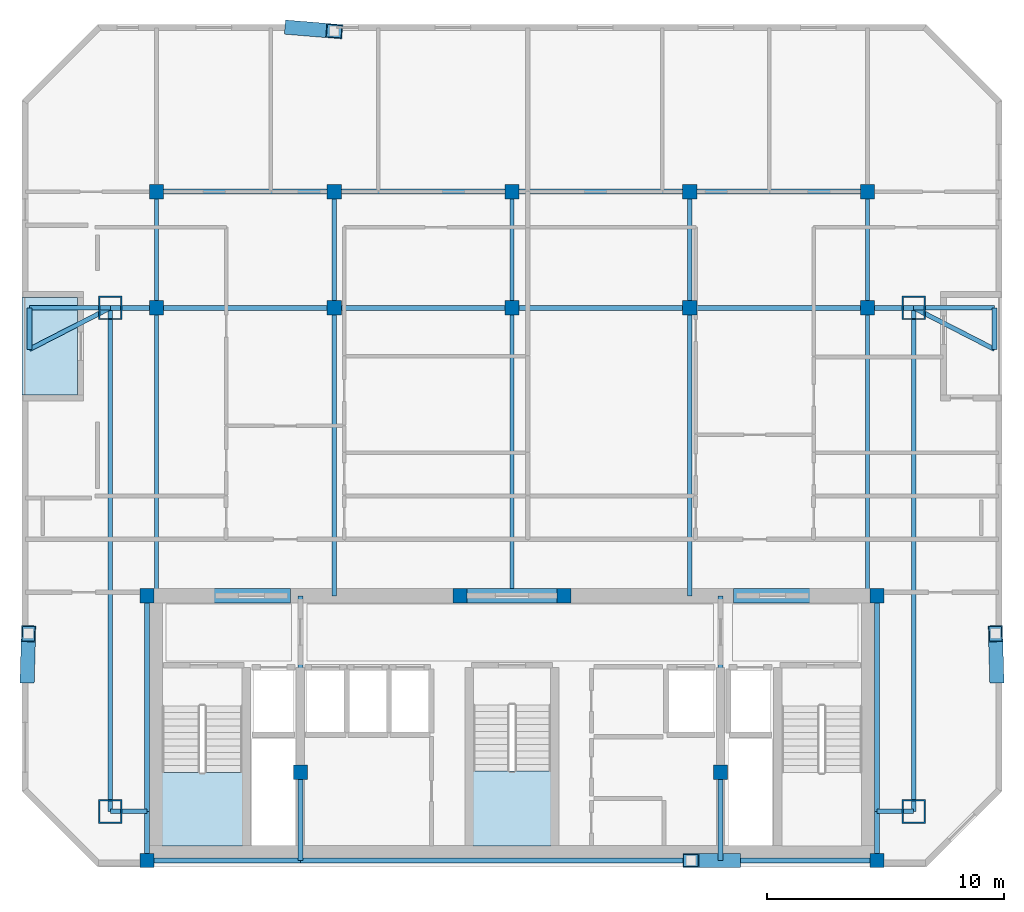
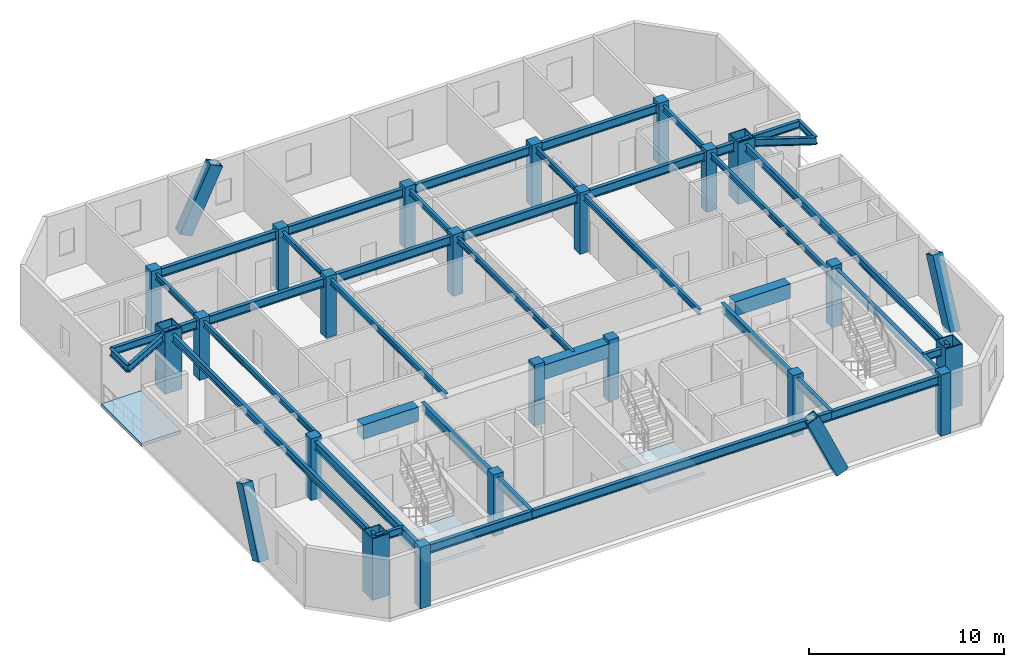
# One storey, part 1 of 7: 44 beams, 22 columns, 4 members, 3 slabs, 2 elements without a shape of their own.
"""IFC4 building model written with IfcOpenShell, lengths in metres."""

from ifc_helpers import new_model, si_unit, direction, frame, origin, origin_2d, place, context, subcontext, project, spatial, polyline, rectangle, hollow_rectangle, i_section, outline, extrude, material, layer, layer_set, material_profile, profile_set, type_object, element, aggregate, save


model = new_model("IFC4")

# Units and contexts
model_context = context("Model", 3, precision=1e-05, world=origin(), true_north=direction((0.0, 1.0)))
body_context = subcontext(model_context, "Body", "Model", "MODEL_VIEW")
ifc_project = project(units=[si_unit("LENGTHUNIT", "METRE"), si_unit("AREAUNIT", "SQUARE_METRE"), si_unit("VOLUMEUNIT", "CUBIC_METRE"), si_unit("PLANEANGLEUNIT", "RADIAN"), si_unit("MASSUNIT", "GRAM", prefix="KILO")], contexts=[model_context])

# Site, building, storey
site_placement = place(None, origin())
site = spatial("IfcSite", under=ifc_project, at=site_placement, CompositionType="ELEMENT")
building_placement = place(site_placement, origin())
building = spatial("IfcBuilding", under=site, at=building_placement, Name="Ventersveld Concourse Tower", CompositionType="ELEMENT")
storey_placement = place(building_placement, frame((0.0, 0.0, 264.449951171875)))
storey = spatial("IfcBuildingStorey", under=building, at=storey_placement, Name="L65", CompositionType="ELEMENT", Elevation=264.449951171875)

# Columns
ifc_material_1 = material(Name="Concrete C50/60", Category="concrete")
ifc_material_profile_1 = material_profile(ifc_material_1, rectangle(XDim=0.60009765625, YDim=0.60009765625, at=origin_2d()), Name="RC 600x600")
ifc_profile_set_1 = profile_set([ifc_material_profile_1], Name="Concrete C50/60")
column_type_1 = type_object("IfcColumnType", Name="COL-RC600", PredefinedType="COLUMN", material=ifc_profile_set_1)
for number, where, z_axis, x_axis, name in (
    (1, (13.35009765625, 0.280029296875, 0.0), (0.0, 0.0, 1.0), (1.0, 0.0, 0.0), "L65 Core Spine Column CC-SW"),
    (2, (44.14990234375, 0.280029296875, 0.0), (0.0, 0.0, 1.0), (1.0, 0.0, 0.0), "L65 Core Spine Column CC-SE"),
    (3, (13.35009765625, 11.449951171875, 0.0), (0.0, 0.0, 1.0), (1.0, 0.0, 0.0), "L65 Core Spine Column CC-NW"),
    (4, (44.14990234375, 11.449951171875, 0.0), (0.0, 0.0, 1.0), (1.0, 0.0, 0.0), "L65 Core Spine Column CC-NE"),
    (5, (19.820068359375, 4.0, 0.0), (0.0, 0.0, 1.0), (1.0, 0.0, 0.0), "L65 Core Spine Column CM-1"),
    (6, (37.550048828125, 4.0, 0.0), (0.0, 0.0, 1.0), (1.0, 0.0, 0.0), "L65 Core Spine Column CM-2"),
    (7, (26.550048828125, 11.449951171875, 0.0), (0.0, 0.0, 1.0), (1.0, 0.0, 0.0), "L65 Core Spine Column CM-3"),
    (8, (30.949951171875, 11.449951171875, 0.0), (0.0, 0.0, 1.0), (1.0, 0.0, 0.0), "L65 Core Spine Column CM-4"),
    (9, (13.75, 23.60009765625, 0.0), (0.0, 0.0, 1.0), (1.0, 0.0, 0.0), "L65 Interior Gravity Column X=13.75 Y=23.60"),
    (10, (21.25, 23.60009765625, 0.0), (0.0, 0.0, 1.0), (1.0, 0.0, 0.0), "L65 Interior Gravity Column X=21.25 Y=23.60"),
    (11, (28.75, 23.60009765625, 0.0), (0.0, 0.0, 1.0), (1.0, 0.0, 0.0), "L65 Interior Gravity Column X=28.75 Y=23.60"),
    (12, (36.25, 23.60009765625, 0.0), (0.0, 0.0, 1.0), (1.0, 0.0, 0.0), "L65 Interior Gravity Column X=36.25 Y=23.60"),
    (13, (43.75, 23.60009765625, 0.0), (0.0, 0.0, 1.0), (1.0, 0.0, 0.0), "L65 Interior Gravity Column X=43.75 Y=23.60"),
    (14, (13.75, 28.5, 0.0), (0.0, 0.0, 1.0), (1.0, 0.0, 0.0), "L65 Upper-North Gravity Column X=13.75 Y=28.50"),
    (15, (21.25, 28.5, 0.0), (0.0, 0.0, 1.0), (1.0, 0.0, 0.0), "L65 Upper-North Gravity Column X=21.25 Y=28.50"),
    (16, (28.75, 28.5, 0.0), (0.0, 0.0, 1.0), (1.0, 0.0, 0.0), "L65 Upper-North Gravity Column X=28.75 Y=28.50"),
    (17, (36.25, 28.5, 0.0), (0.0, 0.0, 1.0), (1.0, 0.0, 0.0), "L65 Upper-North Gravity Column X=36.25 Y=28.50"),
    (18, (43.75, 28.5, 0.0), (0.0, 0.0, 1.0), (1.0, 0.0, 0.0), "L65 Upper-North Gravity Column X=43.75 Y=28.50"),
):
    element("IfcColumn", number, at=place(storey_placement, frame(where, z_axis=z_axis, x_axis=x_axis)), inside=storey, type_object=column_type_1, Name=name, PredefinedType="COLUMN", context=body_context, shape_type="SweptSolid", body=[
        extrude(rectangle(XDim=0.60009765625, YDim=0.60009765625, at=origin_2d()), origin(), (0.0, 0.0, 1.0), 3.85009765625),
    ])
ifc_material_2 = material(Name="Structural steel S460ML", Category="steel")
ifc_material_profile_2 = material_profile(ifc_material_2, hollow_rectangle(XDim=1.0, YDim=1.0, WallThickness=0.06005859375, at=origin_2d()), Name="BOX 1000x1000x60")
ifc_profile_set_2 = profile_set([ifc_material_profile_2], Name="Structural steel S460ML")
column_type_2 = type_object("IfcColumnType", Name="MC-1000", PredefinedType="USERDEFINED", material=ifc_profile_set_2)
for number, where, z_axis, x_axis, name in (
    (19, (11.800048828125, 2.35009765625, 0.0), (0.0, 0.0, 1.0), (1.0, 0.0, 0.0), "L65 Corner Mega-Column MC-SW"),
    (20, (45.699951171875, 2.35009765625, 0.0), (0.0, 0.0, 1.0), (1.0, 0.0, 0.0), "L65 Corner Mega-Column MC-SE"),
    (21, (45.699951171875, 23.60009765625, 0.0), (0.0, 0.0, 1.0), (1.0, 0.0, 0.0), "L65 Corner Mega-Column MC-NE"),
    (22, (11.800048828125, 23.60009765625, 0.0), (0.0, 0.0, 1.0), (1.0, 0.0, 0.0), "L65 Corner Mega-Column MC-NW"),
):
    element("IfcColumn", number, at=place(storey_placement, frame(where, z_axis=z_axis, x_axis=x_axis)), inside=storey, type_object=column_type_2, Name=name, ObjectType="MEGA_COLUMN", PredefinedType="USERDEFINED", context=body_context, shape_type="SweptSolid", body=[
        extrude(hollow_rectangle(XDim=1.0, YDim=1.0, WallThickness=0.06005859375, at=origin_2d()), origin(), (0.0, 0.0, 1.0), 3.85009765625),
    ])

# Beams
ifc_material_3 = material(Name="Structural steel S355J2", Category="steel")
ifc_material_profile_3 = material_profile(ifc_material_3, i_section(OverallWidth=0.17138671875, OverallDepth=0.35498046875, WebThickness=0.00732421875, FlangeThickness=0.011474609375, FilletRadius=0.01025390625, at=origin_2d()), Name="UB 356x171x51")
ifc_profile_set_3 = profile_set([ifc_material_profile_3], Name="Structural steel S355J2")
beam_type_1 = type_object("IfcBeamType", Name="BM-UB356", PredefinedType="BEAM", material=ifc_profile_set_3)
beam_1_placement = place(storey_placement, frame((13.75, 11.449951171875, 3.47265625), z_axis=(0.0, 1.0, 0.0), x_axis=(-1.0, 0.0, 0.0)))
element("IfcBeam", 23, at=beam_1_placement, inside=storey, type_object=beam_type_1, Name="L65 N-S Composite Floor Beam South X=13.75", PredefinedType="BEAM", context=body_context, shape_type="SweptSolid", body=[
    extrude(i_section(OverallWidth=0.17138671875, OverallDepth=0.35498046875, WebThickness=0.00732421875, FlangeThickness=0.011474609375, FilletRadius=0.01025390625, at=origin_2d()), origin(), (0.0, 0.0, 1.0), 12.150146484375),
])
beam_2_placement = place(storey_placement, frame((13.75, 23.60009765625, 3.47265625), z_axis=(0.0, 1.0, 0.0), x_axis=(-1.0, 0.0, 0.0)))
element("IfcBeam", 24, at=beam_2_placement, inside=storey, type_object=beam_type_1, Name="L65 N-S Upper-Zone Floor Beam X=13.75", PredefinedType="BEAM", context=body_context, shape_type="SweptSolid", body=[
    extrude(i_section(OverallWidth=0.17138671875, OverallDepth=0.35498046875, WebThickness=0.00732421875, FlangeThickness=0.011474609375, FilletRadius=0.01025390625, at=origin_2d()), origin(), (0.0, 0.0, 1.0), 4.89990234375),
])
beam_3_placement = place(storey_placement, frame((21.25, 11.449951171875, 3.47265625), z_axis=(0.0, 1.0, 0.0), x_axis=(-1.0, 0.0, 0.0)))
element("IfcBeam", 25, at=beam_3_placement, inside=storey, type_object=beam_type_1, Name="L65 N-S Composite Floor Beam South X=21.25", PredefinedType="BEAM", context=body_context, shape_type="SweptSolid", body=[
    extrude(i_section(OverallWidth=0.17138671875, OverallDepth=0.35498046875, WebThickness=0.00732421875, FlangeThickness=0.011474609375, FilletRadius=0.01025390625, at=origin_2d()), origin(), (0.0, 0.0, 1.0), 12.150146484375),
])
beam_4_placement = place(storey_placement, frame((21.25, 23.60009765625, 3.47265625), z_axis=(0.0, 1.0, 0.0), x_axis=(-1.0, 0.0, 0.0)))
element("IfcBeam", 26, at=beam_4_placement, inside=storey, type_object=beam_type_1, Name="L65 N-S Upper-Zone Floor Beam X=21.25", PredefinedType="BEAM", context=body_context, shape_type="SweptSolid", body=[
    extrude(i_section(OverallWidth=0.17138671875, OverallDepth=0.35498046875, WebThickness=0.00732421875, FlangeThickness=0.011474609375, FilletRadius=0.01025390625, at=origin_2d()), origin(), (0.0, 0.0, 1.0), 4.89990234375),
])
beam_5_placement = place(storey_placement, frame((28.75, 11.449951171875, 3.47265625), z_axis=(0.0, 1.0, 0.0), x_axis=(-1.0, 0.0, 0.0)))
element("IfcBeam", 27, at=beam_5_placement, inside=storey, type_object=beam_type_1, Name="L65 N-S Composite Floor Beam South X=28.75", PredefinedType="BEAM", context=body_context, shape_type="SweptSolid", body=[
    extrude(i_section(OverallWidth=0.17138671875, OverallDepth=0.35498046875, WebThickness=0.00732421875, FlangeThickness=0.011474609375, FilletRadius=0.01025390625, at=origin_2d()), origin(), (0.0, 0.0, 1.0), 12.150146484375),
])
beam_6_placement = place(storey_placement, frame((28.75, 23.60009765625, 3.47265625), z_axis=(0.0, 1.0, 0.0), x_axis=(-1.0, 0.0, 0.0)))
element("IfcBeam", 28, at=beam_6_placement, inside=storey, type_object=beam_type_1, Name="L65 N-S Upper-Zone Floor Beam X=28.75", PredefinedType="BEAM", context=body_context, shape_type="SweptSolid", body=[
    extrude(i_section(OverallWidth=0.17138671875, OverallDepth=0.35498046875, WebThickness=0.00732421875, FlangeThickness=0.011474609375, FilletRadius=0.01025390625, at=origin_2d()), origin(), (0.0, 0.0, 1.0), 4.89990234375),
])
beam_7_placement = place(storey_placement, frame((36.25, 11.449951171875, 3.47265625), z_axis=(0.0, 1.0, 0.0), x_axis=(-1.0, 0.0, 0.0)))
element("IfcBeam", 29, at=beam_7_placement, inside=storey, type_object=beam_type_1, Name="L65 N-S Composite Floor Beam South X=36.25", PredefinedType="BEAM", context=body_context, shape_type="SweptSolid", body=[
    extrude(i_section(OverallWidth=0.17138671875, OverallDepth=0.35498046875, WebThickness=0.00732421875, FlangeThickness=0.011474609375, FilletRadius=0.01025390625, at=origin_2d()), origin(), (0.0, 0.0, 1.0), 12.150146484375),
])
beam_8_placement = place(storey_placement, frame((36.25, 23.60009765625, 3.47265625), z_axis=(0.0, 1.0, 0.0), x_axis=(-1.0, 0.0, 0.0)))
element("IfcBeam", 30, at=beam_8_placement, inside=storey, type_object=beam_type_1, Name="L65 N-S Upper-Zone Floor Beam X=36.25", PredefinedType="BEAM", context=body_context, shape_type="SweptSolid", body=[
    extrude(i_section(OverallWidth=0.17138671875, OverallDepth=0.35498046875, WebThickness=0.00732421875, FlangeThickness=0.011474609375, FilletRadius=0.01025390625, at=origin_2d()), origin(), (0.0, 0.0, 1.0), 4.89990234375),
])
beam_9_placement = place(storey_placement, frame((43.75, 11.449951171875, 3.47265625), z_axis=(0.0, 1.0, 0.0), x_axis=(-1.0, 0.0, 0.0)))
element("IfcBeam", 31, at=beam_9_placement, inside=storey, type_object=beam_type_1, Name="L65 N-S Composite Floor Beam South X=43.75", PredefinedType="BEAM", context=body_context, shape_type="SweptSolid", body=[
    extrude(i_section(OverallWidth=0.17138671875, OverallDepth=0.35498046875, WebThickness=0.00732421875, FlangeThickness=0.011474609375, FilletRadius=0.01025390625, at=origin_2d()), origin(), (0.0, 0.0, 1.0), 12.150146484375),
])
beam_10_placement = place(storey_placement, frame((43.75, 23.60009765625, 3.47265625), z_axis=(0.0, 1.0, 0.0), x_axis=(-1.0, 0.0, 0.0)))
element("IfcBeam", 32, at=beam_10_placement, inside=storey, type_object=beam_type_1, Name="L65 N-S Upper-Zone Floor Beam X=43.75", PredefinedType="BEAM", context=body_context, shape_type="SweptSolid", body=[
    extrude(i_section(OverallWidth=0.17138671875, OverallDepth=0.35498046875, WebThickness=0.00732421875, FlangeThickness=0.011474609375, FilletRadius=0.01025390625, at=origin_2d()), origin(), (0.0, 0.0, 1.0), 4.89990234375),
])
ifc_material_profile_4 = material_profile(ifc_material_1, rectangle(XDim=0.60009765625, YDim=0.89990234375, at=origin_2d()), Name="RC 600x900")
ifc_profile_set_4 = profile_set([ifc_material_profile_4], Name="Concrete C50/60")
beam_type_2 = type_object("IfcBeamType", Name="CB-RC600x900U", PredefinedType="LINTEL", material=ifc_profile_set_4)
beam_11_placement = place(storey_placement, frame((16.10009765625, 11.449951171875, 3.199951171875), z_axis=(1.0, 0.0, 0.0), x_axis=(0.0, 1.0, 0.0)))
element("IfcBeam", 33, at=beam_11_placement, inside=storey, type_object=beam_type_2, Name="L65 Core Coupling Lintel Beam 1", PredefinedType="LINTEL", context=body_context, shape_type="SweptSolid", body=[
    extrude(rectangle(XDim=0.60009765625, YDim=0.89990234375, at=origin_2d()), origin(), (0.0, 0.0, 1.0), 3.2998046875),
])
beam_12_placement = place(storey_placement, frame((26.5, 11.449951171875, 3.199951171875), z_axis=(1.0, 0.0, 0.0), x_axis=(0.0, 1.0, 0.0)))
element("IfcBeam", 34, at=beam_12_placement, inside=storey, type_object=beam_type_2, Name="L65 Core Coupling Lintel Beam 2", PredefinedType="LINTEL", context=body_context, shape_type="SweptSolid", body=[
    extrude(rectangle(XDim=0.60009765625, YDim=0.89990234375, at=origin_2d()), origin(), (0.0, 0.0, 1.0), 4.5),
])
beam_13_placement = place(storey_placement, frame((38.10009765625, 11.449951171875, 3.199951171875), z_axis=(1.0, 0.0, 0.0), x_axis=(0.0, 1.0, 0.0)))
element("IfcBeam", 35, at=beam_13_placement, inside=storey, type_object=beam_type_2, Name="L65 Core Coupling Lintel Beam 3", PredefinedType="LINTEL", context=body_context, shape_type="SweptSolid", body=[
    extrude(rectangle(XDim=0.60009765625, YDim=0.89990234375, at=origin_2d()), origin(), (0.0, 0.0, 1.0), 3.2998046875),
])
ifc_material_profile_5 = material_profile(ifc_material_3, i_section(OverallWidth=0.2119140625, OverallDepth=0.54443359375, WebThickness=0.0126953125, FlangeThickness=0.021240234375, FilletRadius=0.0126953125, at=origin_2d()), Name="UB 533x210x122")
ifc_profile_set_5 = profile_set([ifc_material_profile_5], Name="Structural steel S355J2")
beam_type_3 = type_object("IfcBeamType", Name="GRD-UB533H", PredefinedType="T_BEAM", material=ifc_profile_set_5)
beam_14_placement = place(storey_placement, frame((13.35009765625, 0.280029296875, 3.3779296875), z_axis=(0.0, 1.0, 0.0), x_axis=(-1.0, 0.0, 0.0)))
element("IfcBeam", 36, at=beam_14_placement, inside=storey, type_object=beam_type_3, Name="L65 Core West Tie Beam S", PredefinedType="T_BEAM", context=body_context, shape_type="SweptSolid", body=[
    extrude(i_section(OverallWidth=0.2119140625, OverallDepth=0.54443359375, WebThickness=0.0126953125, FlangeThickness=0.021240234375, FilletRadius=0.0126953125, at=origin_2d()), origin(), (0.0, 0.0, 1.0), 2.070068359375),
])
beam_15_placement = place(storey_placement, frame((13.35009765625, 2.35009765625, 3.3779296875), z_axis=(0.0, 1.0, 0.0), x_axis=(-1.0, 0.0, 0.0)))
element("IfcBeam", 37, at=beam_15_placement, inside=storey, type_object=beam_type_3, Name="L65 Core West Tie Beam N", PredefinedType="T_BEAM", context=body_context, shape_type="SweptSolid", body=[
    extrude(i_section(OverallWidth=0.2119140625, OverallDepth=0.54443359375, WebThickness=0.0126953125, FlangeThickness=0.021240234375, FilletRadius=0.0126953125, at=origin_2d()), origin(), (0.0, 0.0, 1.0), 9.099853515625),
])
beam_16_placement = place(storey_placement, frame((44.14990234375, 0.280029296875, 3.3779296875), z_axis=(0.0, 1.0, 0.0), x_axis=(-1.0, 0.0, 0.0)))
element("IfcBeam", 38, at=beam_16_placement, inside=storey, type_object=beam_type_3, Name="L65 Core East Tie Beam S", PredefinedType="T_BEAM", context=body_context, shape_type="SweptSolid", body=[
    extrude(i_section(OverallWidth=0.2119140625, OverallDepth=0.54443359375, WebThickness=0.0126953125, FlangeThickness=0.021240234375, FilletRadius=0.0126953125, at=origin_2d()), origin(), (0.0, 0.0, 1.0), 2.070068359375),
])
beam_17_placement = place(storey_placement, frame((44.14990234375, 2.35009765625, 3.3779296875), z_axis=(0.0, 1.0, 0.0), x_axis=(-1.0, 0.0, 0.0)))
element("IfcBeam", 39, at=beam_17_placement, inside=storey, type_object=beam_type_3, Name="L65 Core East Tie Beam N", PredefinedType="T_BEAM", context=body_context, shape_type="SweptSolid", body=[
    extrude(i_section(OverallWidth=0.2119140625, OverallDepth=0.54443359375, WebThickness=0.0126953125, FlangeThickness=0.021240234375, FilletRadius=0.0126953125, at=origin_2d()), origin(), (0.0, 0.0, 1.0), 9.099853515625),
])
beam_18_placement = place(storey_placement, frame((13.35009765625, 0.280029296875, 3.3779296875), z_axis=(1.0, 0.0, 0.0), x_axis=(0.0, 1.0, 0.0)))
element("IfcBeam", 40, at=beam_18_placement, inside=storey, type_object=beam_type_3, Name="L65 Core South Tie Beam W", PredefinedType="T_BEAM", context=body_context, shape_type="SweptSolid", body=[
    extrude(i_section(OverallWidth=0.2119140625, OverallDepth=0.54443359375, WebThickness=0.0126953125, FlangeThickness=0.021240234375, FilletRadius=0.0126953125, at=origin_2d()), origin(), (0.0, 0.0, 1.0), 6.469970703125),
])
beam_19_placement = place(storey_placement, frame((19.820068359375, 0.280029296875, 3.3779296875), z_axis=(1.0, 0.0, 0.0), x_axis=(0.0, 1.0, 0.0)))
element("IfcBeam", 41, at=beam_19_placement, inside=storey, type_object=beam_type_3, Name="L65 Core South Tie Beam C", PredefinedType="T_BEAM", context=body_context, shape_type="SweptSolid", body=[
    extrude(i_section(OverallWidth=0.2119140625, OverallDepth=0.54443359375, WebThickness=0.0126953125, FlangeThickness=0.021240234375, FilletRadius=0.0126953125, at=origin_2d()), origin(), (0.0, 0.0, 1.0), 17.72998046875),
])
beam_20_placement = place(storey_placement, frame((37.550048828125, 0.280029296875, 3.3779296875), z_axis=(1.0, 0.0, 0.0), x_axis=(0.0, 1.0, 0.0)))
element("IfcBeam", 42, at=beam_20_placement, inside=storey, type_object=beam_type_3, Name="L65 Core South Tie Beam E", PredefinedType="T_BEAM", context=body_context, shape_type="SweptSolid", body=[
    extrude(i_section(OverallWidth=0.2119140625, OverallDepth=0.54443359375, WebThickness=0.0126953125, FlangeThickness=0.021240234375, FilletRadius=0.0126953125, at=origin_2d()), origin(), (0.0, 0.0, 1.0), 6.599853515625),
])
beam_21_placement = place(storey_placement, frame((19.820068359375, 0.280029296875, 3.3779296875), z_axis=(0.0, 1.0, 0.0), x_axis=(-1.0, 0.0, 0.0)))
element("IfcBeam", 43, at=beam_21_placement, inside=storey, type_object=beam_type_3, Name="L65 Core Spine N-S Tie Beam W1", PredefinedType="T_BEAM", context=body_context, shape_type="SweptSolid", body=[
    extrude(i_section(OverallWidth=0.2119140625, OverallDepth=0.54443359375, WebThickness=0.0126953125, FlangeThickness=0.021240234375, FilletRadius=0.0126953125, at=origin_2d()), origin(), (0.0, 0.0, 1.0), 3.719970703125),
])
beam_22_placement = place(storey_placement, frame((19.820068359375, 4.0, 3.3779296875), z_axis=(0.0, 1.0, 0.0), x_axis=(-1.0, 0.0, 0.0)))
element("IfcBeam", 44, at=beam_22_placement, inside=storey, type_object=beam_type_3, Name="L65 Core Spine N-S Tie Beam W2", PredefinedType="T_BEAM", context=body_context, shape_type="SweptSolid", body=[
    extrude(i_section(OverallWidth=0.2119140625, OverallDepth=0.54443359375, WebThickness=0.0126953125, FlangeThickness=0.021240234375, FilletRadius=0.0126953125, at=origin_2d()), origin(), (0.0, 0.0, 1.0), 7.449951171875),
])
beam_23_placement = place(storey_placement, frame((37.550048828125, 0.280029296875, 3.3779296875), z_axis=(0.0, 1.0, 0.0), x_axis=(-1.0, 0.0, 0.0)))
element("IfcBeam", 45, at=beam_23_placement, inside=storey, type_object=beam_type_3, Name="L65 Core Spine N-S Tie Beam E1", PredefinedType="T_BEAM", context=body_context, shape_type="SweptSolid", body=[
    extrude(i_section(OverallWidth=0.2119140625, OverallDepth=0.54443359375, WebThickness=0.0126953125, FlangeThickness=0.021240234375, FilletRadius=0.0126953125, at=origin_2d()), origin(), (0.0, 0.0, 1.0), 3.719970703125),
])
beam_24_placement = place(storey_placement, frame((37.550048828125, 4.0, 3.3779296875), z_axis=(0.0, 1.0, 0.0), x_axis=(-1.0, 0.0, 0.0)))
element("IfcBeam", 46, at=beam_24_placement, inside=storey, type_object=beam_type_3, Name="L65 Core Spine N-S Tie Beam E2", PredefinedType="T_BEAM", context=body_context, shape_type="SweptSolid", body=[
    extrude(i_section(OverallWidth=0.2119140625, OverallDepth=0.54443359375, WebThickness=0.0126953125, FlangeThickness=0.021240234375, FilletRadius=0.0126953125, at=origin_2d()), origin(), (0.0, 0.0, 1.0), 7.449951171875),
])
beam_25_placement = place(storey_placement, frame((11.800048828125, 23.60009765625, 3.3779296875), z_axis=(1.0, 0.0, 0.0), x_axis=(0.0, 1.0, 0.0)))
element("IfcBeam", 47, at=beam_25_placement, inside=storey, type_object=beam_type_3, Name="L65 Primary E-W Grid Girder Y=23.60 #1", PredefinedType="T_BEAM", context=body_context, shape_type="SweptSolid", body=[
    extrude(i_section(OverallWidth=0.2119140625, OverallDepth=0.54443359375, WebThickness=0.0126953125, FlangeThickness=0.021240234375, FilletRadius=0.0126953125, at=origin_2d()), origin(), (0.0, 0.0, 1.0), 1.949951171875),
])
for number, where, z_axis, x_axis, name in (
    (48, (13.75, 23.60009765625, 3.3779296875), (1.0, 0.0, 0.0), (0.0, 1.0, 0.0), "L65 Primary E-W Grid Girder Y=23.60 #2"),
    (49, (21.25, 23.60009765625, 3.3779296875), (1.0, 0.0, 0.0), (0.0, 1.0, 0.0), "L65 Primary E-W Grid Girder Y=23.60 #3"),
    (50, (28.75, 23.60009765625, 3.3779296875), (1.0, 0.0, 0.0), (0.0, 1.0, 0.0), "L65 Primary E-W Grid Girder Y=23.60 #4"),
    (51, (36.25, 23.60009765625, 3.3779296875), (1.0, 0.0, 0.0), (0.0, 1.0, 0.0), "L65 Primary E-W Grid Girder Y=23.60 #5"),
):
    element("IfcBeam", number, at=place(storey_placement, frame(where, z_axis=z_axis, x_axis=x_axis)), inside=storey, type_object=beam_type_3, Name=name, PredefinedType="T_BEAM", context=body_context, shape_type="SweptSolid", body=[
        extrude(i_section(OverallWidth=0.2119140625, OverallDepth=0.54443359375, WebThickness=0.0126953125, FlangeThickness=0.021240234375, FilletRadius=0.0126953125, at=origin_2d()), origin(), (0.0, 0.0, 1.0), 7.5),
    ])
beam_26_placement = place(storey_placement, frame((43.75, 23.60009765625, 3.3779296875), z_axis=(1.0, 0.0, 0.0), x_axis=(0.0, 1.0, 0.0)))
element("IfcBeam", 52, at=beam_26_placement, inside=storey, type_object=beam_type_3, Name="L65 Primary E-W Grid Girder Y=23.60 #6", PredefinedType="T_BEAM", context=body_context, shape_type="SweptSolid", body=[
    extrude(i_section(OverallWidth=0.2119140625, OverallDepth=0.54443359375, WebThickness=0.0126953125, FlangeThickness=0.021240234375, FilletRadius=0.0126953125, at=origin_2d()), origin(), (0.0, 0.0, 1.0), 1.949951171875),
])
for number, where, z_axis, x_axis, name in (
    (53, (13.75, 28.5, 3.3779296875), (1.0, 0.0, 0.0), (0.0, 1.0, 0.0), "L65 Upper-North E-W Girder Y=28.50 #1"),
    (54, (21.25, 28.5, 3.3779296875), (1.0, 0.0, 0.0), (0.0, 1.0, 0.0), "L65 Upper-North E-W Girder Y=28.50 #2"),
    (55, (28.75, 28.5, 3.3779296875), (1.0, 0.0, 0.0), (0.0, 1.0, 0.0), "L65 Upper-North E-W Girder Y=28.50 #3"),
    (56, (36.25, 28.5, 3.3779296875), (1.0, 0.0, 0.0), (0.0, 1.0, 0.0), "L65 Upper-North E-W Girder Y=28.50 #4"),
):
    element("IfcBeam", number, at=place(storey_placement, frame(where, z_axis=z_axis, x_axis=x_axis)), inside=storey, type_object=beam_type_3, Name=name, PredefinedType="T_BEAM", context=body_context, shape_type="SweptSolid", body=[
        extrude(i_section(OverallWidth=0.2119140625, OverallDepth=0.54443359375, WebThickness=0.0126953125, FlangeThickness=0.021240234375, FilletRadius=0.0126953125, at=origin_2d()), origin(), (0.0, 0.0, 1.0), 7.5),
    ])

# Members
ifc_material_4 = material(Name="Structural steel S355ML", Category="steel")
ifc_material_profile_6 = material_profile(ifc_material_4, hollow_rectangle(XDim=0.60009765625, YDim=0.75, WallThickness=0.0400390625, at=origin_2d()), Name="BOX 750x600x40")
ifc_profile_set_6 = profile_set([ifc_material_profile_6], Name="Structural steel S355ML")
member_type = type_object("IfcMemberType", Name="MB-750x600", PredefinedType="BRACE", material=ifc_profile_set_6)
member_1_placement = place(storey_placement, frame((19.510498046875, 35.418212890625, -0.199951171875), z_axis=(0.411497132721, -0.033901588338, 0.910780320423), x_axis=(0.082107785018, 0.996623455293, 0.0)))
element("IfcMember", 57, at=member_1_placement, inside=storey, type_object=member_type, Name="L65 Exterior Mega-Brace N (Module M15)", PredefinedType="BRACE", context=body_context, shape_type="SweptSolid", body=[
    extrude(hollow_rectangle(XDim=0.60009765625, YDim=0.75, WallThickness=0.0400390625, at=origin_2d()), origin(), (0.0, 0.0, 1.0), 4.227294921875),
])
member_2_placement = place(storey_placement, frame((38.03955078125, 0.280029296875, -0.199951171875), z_axis=(-0.411733807219, 0.0, 0.911304159978), x_axis=(0.0, -1.0, 0.0)))
element("IfcMember", 58, at=member_2_placement, inside=storey, type_object=member_type, Name="L65 Exterior Mega-Brace S (Module M15)", PredefinedType="BRACE", context=body_context, shape_type="SweptSolid", body=[
    extrude(hollow_rectangle(XDim=0.60009765625, YDim=0.75, WallThickness=0.0400390625, at=origin_2d()), origin(), (0.0, 0.0, 1.0), 4.224853515625),
])
for number, where, z_axis, x_axis, name in (
    (59, (8.29931640625, 8.110595703125, -0.199951171875), (0.011729994741, 0.411705480446, 0.911241463386), (-0.999594371896, 0.028479671227, 0.0), "L65 Exterior Mega-Brace W (Module M15)"),
    (60, (49.20068359375, 8.110595703125, -0.199951171875), (-0.011729994741, 0.411705480446, 0.911241463386), (-0.999594371896, -0.028479671227, 0.0), "L65 Exterior Mega-Brace E (Module M15)"),
):
    element("IfcMember", number, at=place(storey_placement, frame(where, z_axis=z_axis, x_axis=x_axis)), inside=storey, type_object=member_type, Name=name, PredefinedType="BRACE", context=body_context, shape_type="SweptSolid", body=[
        extrude(hollow_rectangle(XDim=0.60009765625, YDim=0.75, WallThickness=0.0400390625, at=origin_2d()), origin(), (0.0, 0.0, 1.0), 4.22509765625),
    ])

# Beams
ifc_material_profile_7 = material_profile(ifc_material_3, i_section(OverallWidth=0.19140625, OverallDepth=0.4599609375, WebThickness=0.010009765625, FlangeThickness=0.01611328125, FilletRadius=0.01025390625, at=origin_2d()), Name="UB 457x191x82")
ifc_profile_set_7 = profile_set([ifc_material_profile_7], Name="Structural steel S355J2")
beam_type_4 = type_object("IfcBeamType", Name="SPD-UB457", PredefinedType="SPANDREL", material=ifc_profile_set_7)
for number, where, z_axis, x_axis, name in (
    (61, (11.800048828125, 2.35009765625, 3.420166015625), (1.0, 0.0, 0.0), (0.0, 1.0, 0.0), "L65 SW Spandrel Beam"),
    (62, (44.14990234375, 2.35009765625, 3.420166015625), (1.0, 0.0, 0.0), (0.0, 1.0, 0.0), "L65 SE Spandrel Beam"),
):
    element("IfcBeam", number, at=place(storey_placement, frame(where, z_axis=z_axis, x_axis=x_axis)), inside=storey, type_object=beam_type_4, Name=name, PredefinedType="SPANDREL", context=body_context, shape_type="SweptSolid", body=[
        extrude(i_section(OverallWidth=0.19140625, OverallDepth=0.4599609375, WebThickness=0.010009765625, FlangeThickness=0.01611328125, FilletRadius=0.01025390625, at=origin_2d()), origin(), (0.0, 0.0, 1.0), 1.550048828125),
    ])
for number, where, z_axis, x_axis, name in (
    (63, (11.800048828125, 2.35009765625, 3.420166015625), (0.0, 1.0, 0.0), (-1.0, 0.0, 0.0), "L65 West Spandrel Beam"),
    (64, (45.699951171875, 2.35009765625, 3.420166015625), (0.0, 1.0, 0.0), (-1.0, 0.0, 0.0), "L65 East Spandrel Beam"),
):
    element("IfcBeam", number, at=place(storey_placement, frame(where, z_axis=z_axis, x_axis=x_axis)), inside=storey, type_object=beam_type_4, Name=name, PredefinedType="SPANDREL", context=body_context, shape_type="SweptSolid", body=[
        extrude(i_section(OverallWidth=0.19140625, OverallDepth=0.4599609375, WebThickness=0.010009765625, FlangeThickness=0.01611328125, FilletRadius=0.01025390625, at=origin_2d()), origin(), (0.0, 0.0, 1.0), 21.25),
    ])
beam_27_placement = place(storey_placement, frame((8.389892578125, 23.60009765625, 3.420166015625), z_axis=(1.0, 0.0, 0.0), x_axis=(0.0, 1.0, 0.0)))
element("IfcBeam", 65, at=beam_27_placement, inside=storey, type_object=beam_type_4, Name="L65 West Valley Bracket S", PredefinedType="SPANDREL", context=body_context, shape_type="SweptSolid", body=[
    extrude(i_section(OverallWidth=0.19140625, OverallDepth=0.4599609375, WebThickness=0.010009765625, FlangeThickness=0.01611328125, FilletRadius=0.01025390625, at=origin_2d()), origin(), (0.0, 0.0, 1.0), 3.41015625),
])
beam_28_placement = place(storey_placement, frame((8.389892578125, 21.85009765625, 3.420166015625), z_axis=(0.889690104726, 0.456564910558, 0.0), x_axis=(-0.456564910558, 0.889690104726, 0.0)))
element("IfcBeam", 66, at=beam_28_placement, inside=storey, type_object=beam_type_4, Name="L65 West Valley Diagonal Bracket", PredefinedType="SPANDREL", context=body_context, shape_type="SweptSolid", body=[
    extrude(i_section(OverallWidth=0.19140625, OverallDepth=0.4599609375, WebThickness=0.010009765625, FlangeThickness=0.01611328125, FilletRadius=0.01025390625, at=origin_2d()), origin(), (0.0, 0.0, 1.0), 3.8330078125),
])
beam_29_placement = place(storey_placement, frame((8.389892578125, 21.85009765625, 3.420166015625), z_axis=(0.0, 1.0, 0.0), x_axis=(-1.0, 0.0, 0.0)))
element("IfcBeam", 67, at=beam_29_placement, inside=storey, type_object=beam_type_4, Name="L65 West Valley Edge Beam", PredefinedType="SPANDREL", context=body_context, shape_type="SweptSolid", body=[
    extrude(i_section(OverallWidth=0.19140625, OverallDepth=0.4599609375, WebThickness=0.010009765625, FlangeThickness=0.01611328125, FilletRadius=0.01025390625, at=origin_2d()), origin(), (0.0, 0.0, 1.0), 1.75),
])
beam_30_placement = place(storey_placement, frame((45.699951171875, 23.60009765625, 3.420166015625), z_axis=(1.0, 0.0, 0.0), x_axis=(0.0, 1.0, 0.0)))
element("IfcBeam", 68, at=beam_30_placement, inside=storey, type_object=beam_type_4, Name="L65 East Valley Bracket S", PredefinedType="SPANDREL", context=body_context, shape_type="SweptSolid", body=[
    extrude(i_section(OverallWidth=0.19140625, OverallDepth=0.4599609375, WebThickness=0.010009765625, FlangeThickness=0.01611328125, FilletRadius=0.01025390625, at=origin_2d()), origin(), (0.0, 0.0, 1.0), 3.41015625),
])
beam_31_placement = place(storey_placement, frame((45.699951171875, 23.60009765625, 3.420166015625), z_axis=(0.889690104726, -0.456564910558, 0.0), x_axis=(0.456564910558, 0.889690104726, 0.0)))
element("IfcBeam", 69, at=beam_31_placement, inside=storey, type_object=beam_type_4, Name="L65 East Valley Diagonal Bracket", PredefinedType="SPANDREL", context=body_context, shape_type="SweptSolid", body=[
    extrude(i_section(OverallWidth=0.19140625, OverallDepth=0.4599609375, WebThickness=0.010009765625, FlangeThickness=0.01611328125, FilletRadius=0.01025390625, at=origin_2d()), origin(), (0.0, 0.0, 1.0), 3.8330078125),
])
beam_32_placement = place(storey_placement, frame((49.110107421875, 21.85009765625, 3.420166015625), z_axis=(0.0, 1.0, 0.0), x_axis=(-1.0, 0.0, 0.0)))
element("IfcBeam", 70, at=beam_32_placement, inside=storey, type_object=beam_type_4, Name="L65 East Valley Edge Beam", PredefinedType="SPANDREL", context=body_context, shape_type="SweptSolid", body=[
    extrude(i_section(OverallWidth=0.19140625, OverallDepth=0.4599609375, WebThickness=0.010009765625, FlangeThickness=0.01611328125, FilletRadius=0.01025390625, at=origin_2d()), origin(), (0.0, 0.0, 1.0), 1.75),
])

# Slab
ifc_layer_1 = layer(ifc_material_1, 0.199951171875)
ifc_layer_set_1 = layer_set([ifc_layer_1], Name="Concrete C50/60")
slab_type_1 = type_object("IfcSlabType", Name="SL-FLR-200", PredefinedType="FLOOR", material=ifc_layer_set_1)
slab_1_placement = place(storey_placement, frame((0.0, 0.0, -0.199951171875)))
element("IfcSlab", 71, at=slab_1_placement, inside=storey, type_object=slab_type_1, Name="L65 Outdoor Terrace Slab NOTCH-W", PredefinedType="FLOOR", context=body_context, shape_type="SweptSolid", body=[
    extrude(outline(polyline([(8.06884765625, 19.927490234375), (10.418701171875, 19.927490234375), (10.418701171875, 24.027587890625), (8.06884765625, 24.027587890625), (8.06884765625, 19.927490234375)])), origin(), (0.0, 0.0, 1.0), 0.199951171875),
])

# Stair, slab
stair_type_1 = type_object("IfcStairType", Name="ST-DOG-160", PredefinedType="HALF_TURN_STAIR", material=ifc_material_1)
stair_1_placement = place(storey_placement, origin())
stair_1 = element("IfcStair", 72, at=stair_1_placement, inside=storey, type_object=stair_type_1, Name="L65 Protected Tower Escape Stair ST-01", PredefinedType="HALF_TURN_STAIR")
ifc_layer_2 = layer(ifc_material_1, 0.199951171875)
ifc_layer_set_2 = layer_set([ifc_layer_2], Name="Concrete C50/60")
slab_type_2 = type_object("IfcSlabType", Name="SL-LND-200", PredefinedType="LANDING", material=ifc_layer_set_2)
slab_2_placement = place(storey_placement, frame((0.0, 0.0, 1.72509765625)))
slab_2 = element("IfcSlab", 73, at=slab_2_placement, type_object=slab_type_2, Name="ST-01 landing 1", PredefinedType="LANDING", context=body_context, shape_type="SweptSolid", body=[
    extrude(outline(polyline([(13.97998046875, 4.0), (13.97998046875, 0.89990234375), (17.3798828125, 0.89990234375), (17.3798828125, 4.0), (13.97998046875, 4.0)])), origin(), (0.0, 0.0, 1.0), 0.199951171875),
])
aggregate(stair_1, [slab_2])

stair_type_2 = type_object("IfcStairType", Name="ST-DOG-155", PredefinedType="HALF_TURN_STAIR", material=ifc_material_1)
stair_2_placement = place(storey_placement, origin())
stair_2 = element("IfcStair", 74, at=stair_2_placement, inside=storey, type_object=stair_type_2, Name="L65 Protected Central Core Escape Stair ST-03", PredefinedType="HALF_TURN_STAIR")
slab_3_placement = place(storey_placement, frame((0.0, 0.0, 1.72509765625)))
slab_3 = element("IfcSlab", 75, at=slab_3_placement, type_object=slab_type_2, Name="ST-03 landing 1", PredefinedType="LANDING", context=body_context, shape_type="SweptSolid", body=[
    extrude(outline(polyline([(27.10009765625, 4.050048828125), (27.10009765625, 0.89990234375), (30.39990234375, 0.89990234375), (30.39990234375, 4.050048828125), (27.10009765625, 4.050048828125)])), origin(), (0.0, 0.0, 1.0), 0.199951171875),
])
aggregate(stair_2, [slab_3])

save(model, "model.ifc")
